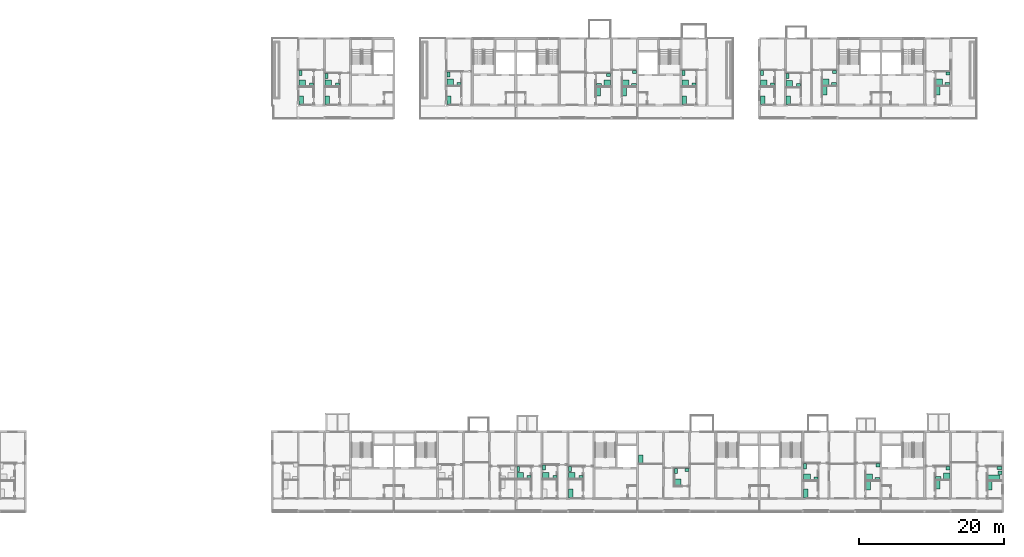
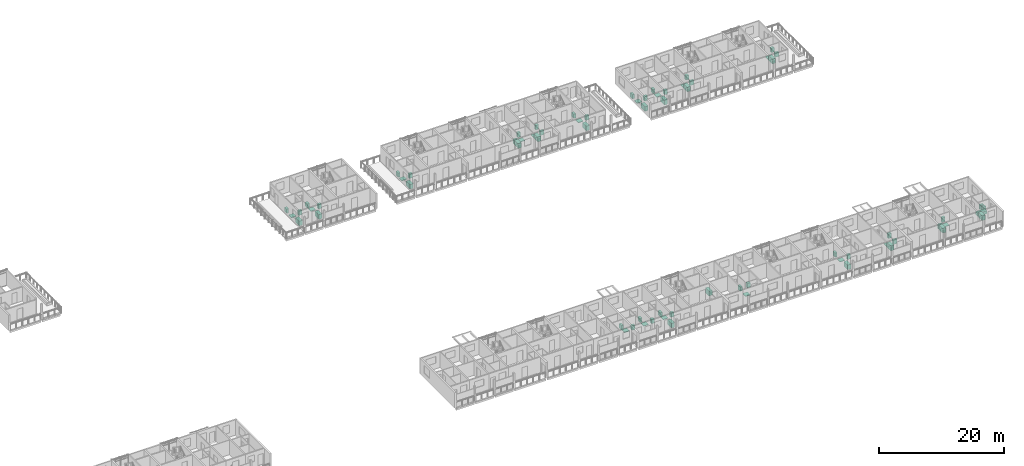
# One storey, part 94 of 94: 70 sanitary terminals.
"""IFC4 building model written with IfcOpenShell, lengths in metres."""

from ifc_helpers import new_model, si_unit, direction, frame, origin, origin_2d, place, context, subcontext, project, spatial, rectangle, extrude, element, save


model = new_model("IFC4")

# Units and contexts
model_context = context("Model", 3, precision=1e-05, world=origin(), true_north=direction((0.0, 1.0)))
body_context = subcontext(model_context, "Body", "Model", "MODEL_VIEW")
ifc_project = project(units=[si_unit("LENGTHUNIT", "METRE"), si_unit("AREAUNIT", "SQUARE_METRE"), si_unit("VOLUMEUNIT", "CUBIC_METRE"), si_unit("PLANEANGLEUNIT", "RADIAN"), si_unit("MASSUNIT", "GRAM", prefix="KILO")], contexts=[model_context])

# Site, building, storey
site_placement = place(None, origin())
site = spatial("IfcSite", under=ifc_project, at=site_placement, CompositionType="ELEMENT")
building_placement = place(site_placement, origin())
building = spatial("IfcBuilding", under=site, at=building_placement, Name="Ridgestep Commons", CompositionType="ELEMENT")
storey_placement = place(building_placement, frame((0.0, 0.0, 24.0)))
storey = spatial("IfcBuildingStorey", under=building, at=storey_placement, Name="L08", CompositionType="ELEMENT", Elevation=24.0)

# Sanitary terminals
sanitary_terminal_1_placement = place(storey_placement, frame((150.949951171875, 70.9599609375, 0.0), z_axis=(0.0, 0.0, 1.0), x_axis=(1.0, 0.0, 0.0)))
element("IfcSanitaryTerminal", 1, at=sanitary_terminal_1_placement, inside=storey, Name="Shower tray C1-08a", PredefinedType="SHOWER", context=body_context, shape_type="SweptSolid", body=[
    extrude(rectangle(XDim=0.89990234375, YDim=0.89990234375, at=origin_2d()), origin(), (0.0, 0.0, 1.0), 0.10009765625),
])
sanitary_terminal_2_placement = place(storey_placement, frame((150.699951171875, 72.35009765625, 0.0), z_axis=(0.0, 0.0, 1.0), x_axis=(1.0, 0.0, 0.0)))
element("IfcSanitaryTerminal", 2, at=sanitary_terminal_2_placement, inside=storey, Name="WC C1-08a", PredefinedType="TOILETPAN", context=body_context, shape_type="SweptSolid", body=[
    extrude(rectangle(XDim=0.39990234375, YDim=0.699951171875, at=origin_2d()), origin(), (0.0, 0.0, 1.0), 0.800048828125),
])
sanitary_terminal_3_placement = place(storey_placement, frame((152.215087890625, 70.735107421875, 0.0), z_axis=(0.0, 0.0, 1.0), x_axis=(1.0, 0.0, 0.0)))
element("IfcSanitaryTerminal", 3, at=sanitary_terminal_3_placement, inside=storey, Name="Basin C1-08a", PredefinedType="WASHHANDBASIN", context=body_context, shape_type="SweptSolid", body=[
    extrude(rectangle(XDim=0.550048828125, YDim=0.449951171875, at=origin_2d()), origin(), (0.0, 0.0, 1.0), 0.85009765625),
])
sanitary_terminal_4_placement = place(storey_placement, frame((150.800048828125, 68.60009765625, 0.0), z_axis=(0.0, 0.0, 1.0), x_axis=(1.0, 0.0, 0.0)))
element("IfcSanitaryTerminal", 4, at=sanitary_terminal_4_placement, inside=storey, Name="Kitchen sink C1-08a", PredefinedType="SINK", context=body_context, shape_type="SweptSolid", body=[
    extrude(rectangle(XDim=0.60009765625, YDim=1.199951171875, at=origin_2d()), origin(), (0.0, 0.0, 1.0), 0.89990234375),
])
sanitary_terminal_5_placement = place(storey_placement, frame((154.550048828125, 70.9599609375, 0.0), z_axis=(0.0, 0.0, 1.0), x_axis=(1.0, 0.0, 0.0)))
element("IfcSanitaryTerminal", 5, at=sanitary_terminal_5_placement, inside=storey, Name="Shower tray C1-08b", PredefinedType="SHOWER", context=body_context, shape_type="SweptSolid", body=[
    extrude(rectangle(XDim=0.89990234375, YDim=0.89990234375, at=origin_2d()), origin(), (0.0, 0.0, 1.0), 0.10009765625),
])
sanitary_terminal_6_placement = place(storey_placement, frame((154.300048828125, 71.949951171875, 0.0), z_axis=(0.0, 0.0, 1.0), x_axis=(1.0, 0.0, 0.0)))
element("IfcSanitaryTerminal", 6, at=sanitary_terminal_6_placement, inside=storey, Name="WC C1-08b", PredefinedType="TOILETPAN", context=body_context, shape_type="SweptSolid", body=[
    extrude(rectangle(XDim=0.39990234375, YDim=0.699951171875, at=origin_2d()), origin(), (0.0, 0.0, 1.0), 0.800048828125),
])
sanitary_terminal_7_placement = place(storey_placement, frame((155.7900390625, 70.735107421875, 0.0), z_axis=(0.0, 0.0, 1.0), x_axis=(1.0, 0.0, 0.0)))
element("IfcSanitaryTerminal", 7, at=sanitary_terminal_7_placement, inside=storey, Name="Basin C1-08b", PredefinedType="WASHHANDBASIN", context=body_context, shape_type="SweptSolid", body=[
    extrude(rectangle(XDim=0.550048828125, YDim=0.449951171875, at=origin_2d()), origin(), (0.0, 0.0, 1.0), 0.85009765625),
])
sanitary_terminal_8_placement = place(storey_placement, frame((154.39990234375, 68.60009765625, 0.0), z_axis=(0.0, 0.0, 1.0), x_axis=(1.0, 0.0, 0.0)))
element("IfcSanitaryTerminal", 8, at=sanitary_terminal_8_placement, inside=storey, Name="Kitchen sink C1-08b", PredefinedType="SINK", context=body_context, shape_type="SweptSolid", body=[
    extrude(rectangle(XDim=0.60009765625, YDim=1.199951171875, at=origin_2d()), origin(), (0.0, 0.0, 1.0), 0.89990234375),
])
sanitary_terminal_9_placement = place(storey_placement, frame((171.35009765625, 71.06005859375, 0.0), z_axis=(0.0, 0.0, 1.0), x_axis=(1.0, 0.0, 0.0)))
element("IfcSanitaryTerminal", 9, at=sanitary_terminal_9_placement, inside=storey, Name="Shower tray C2-08a", PredefinedType="SHOWER", context=body_context, shape_type="SweptSolid", body=[
    extrude(rectangle(XDim=0.89990234375, YDim=0.89990234375, at=origin_2d()), origin(), (0.0, 0.0, 1.0), 0.10009765625),
])
sanitary_terminal_10_placement = place(storey_placement, frame((171.10009765625, 72.14990234375, 0.0), z_axis=(0.0, 0.0, 1.0), x_axis=(1.0, 0.0, 0.0)))
element("IfcSanitaryTerminal", 10, at=sanitary_terminal_10_placement, inside=storey, Name="WC C2-08a", PredefinedType="TOILETPAN", context=body_context, shape_type="SweptSolid", body=[
    extrude(rectangle(XDim=0.39990234375, YDim=0.699951171875, at=origin_2d()), origin(), (0.0, 0.0, 1.0), 0.800048828125),
])
sanitary_terminal_11_placement = place(storey_placement, frame((172.590087890625, 70.8349609375, 0.0), z_axis=(0.0, 0.0, 1.0), x_axis=(1.0, 0.0, 0.0)))
element("IfcSanitaryTerminal", 11, at=sanitary_terminal_11_placement, inside=storey, Name="Basin C2-08a", PredefinedType="WASHHANDBASIN", context=body_context, shape_type="SweptSolid", body=[
    extrude(rectangle(XDim=0.550048828125, YDim=0.449951171875, at=origin_2d()), origin(), (0.0, 0.0, 1.0), 0.85009765625),
])
sanitary_terminal_12_placement = place(storey_placement, frame((171.199951171875, 68.60009765625, 0.0), z_axis=(0.0, 0.0, 1.0), x_axis=(1.0, 0.0, 0.0)))
element("IfcSanitaryTerminal", 12, at=sanitary_terminal_12_placement, inside=storey, Name="Kitchen sink C2-08a", PredefinedType="SINK", context=body_context, shape_type="SweptSolid", body=[
    extrude(rectangle(XDim=0.60009765625, YDim=1.199951171875, at=origin_2d()), origin(), (0.0, 0.0, 1.0), 0.89990234375),
])
sanitary_terminal_13_placement = place(storey_placement, frame((195.56005859375, 70.9599609375, 0.0), z_axis=(0.0, 0.0, 1.0), x_axis=(1.0, 0.0, 0.0)))
element("IfcSanitaryTerminal", 13, at=sanitary_terminal_13_placement, inside=storey, Name="Shower tray C3-08a", PredefinedType="SHOWER", context=body_context, shape_type="SweptSolid", body=[
    extrude(rectangle(XDim=0.89990234375, YDim=0.89990234375, at=origin_2d()), origin(), (0.0, 0.0, 1.0), 0.10009765625),
])
sanitary_terminal_14_placement = place(storey_placement, frame((196.699951171875, 70.7099609375, 0.0), z_axis=(0.0, 0.0, 1.0), x_axis=(1.0, 0.0, 0.0)))
element("IfcSanitaryTerminal", 14, at=sanitary_terminal_14_placement, inside=storey, Name="WC C3-08a", PredefinedType="TOILETPAN", context=body_context, shape_type="SweptSolid", body=[
    extrude(rectangle(XDim=0.699951171875, YDim=0.39990234375, at=origin_2d()), origin(), (0.0, 0.0, 1.0), 0.800048828125),
])
sanitary_terminal_15_placement = place(storey_placement, frame((196.77490234375, 72.47509765625, 0.0), z_axis=(0.0, 0.0, 1.0), x_axis=(1.0, 0.0, 0.0)))
element("IfcSanitaryTerminal", 15, at=sanitary_terminal_15_placement, inside=storey, Name="Basin C3-08a", PredefinedType="WASHHANDBASIN", context=body_context, shape_type="SweptSolid", body=[
    extrude(rectangle(XDim=0.550048828125, YDim=0.449951171875, at=origin_2d()), origin(), (0.0, 0.0, 1.0), 0.85009765625),
])
sanitary_terminal_16_placement = place(storey_placement, frame((195.409912109375, 69.800048828125, 0.0), z_axis=(0.0, 0.0, 1.0), x_axis=(1.0, 0.0, 0.0)))
element("IfcSanitaryTerminal", 16, at=sanitary_terminal_16_placement, inside=storey, Name="Kitchen sink C3-08a", PredefinedType="SINK", context=body_context, shape_type="SweptSolid", body=[
    extrude(rectangle(XDim=0.60009765625, YDim=1.199951171875, at=origin_2d()), origin(), (0.0, 0.0, 1.0), 0.89990234375),
])
sanitary_terminal_17_placement = place(storey_placement, frame((193.050048828125, 70.9599609375, 0.0), z_axis=(0.0, 0.0, 1.0), x_axis=(1.0, 0.0, 0.0)))
element("IfcSanitaryTerminal", 17, at=sanitary_terminal_17_placement, inside=storey, Name="Shower tray C3-08b", PredefinedType="SHOWER", context=body_context, shape_type="SweptSolid", body=[
    extrude(rectangle(XDim=0.89990234375, YDim=0.89990234375, at=origin_2d()), origin(), (0.0, 0.0, 1.0), 0.10009765625),
])
sanitary_terminal_18_placement = place(storey_placement, frame((191.860107421875, 70.7099609375, 0.0), z_axis=(0.0, 0.0, 1.0), x_axis=(1.0, 0.0, 0.0)))
element("IfcSanitaryTerminal", 18, at=sanitary_terminal_18_placement, inside=storey, Name="WC C3-08b", PredefinedType="TOILETPAN", context=body_context, shape_type="SweptSolid", body=[
    extrude(rectangle(XDim=0.699951171875, YDim=0.39990234375, at=origin_2d()), origin(), (0.0, 0.0, 1.0), 0.800048828125),
])
sanitary_terminal_19_placement = place(storey_placement, frame((193.22509765625, 72.074951171875, 0.0), z_axis=(0.0, 0.0, 1.0), x_axis=(1.0, 0.0, 0.0)))
element("IfcSanitaryTerminal", 19, at=sanitary_terminal_19_placement, inside=storey, Name="Basin C3-08b", PredefinedType="WASHHANDBASIN", context=body_context, shape_type="SweptSolid", body=[
    extrude(rectangle(XDim=0.550048828125, YDim=0.449951171875, at=origin_2d()), origin(), (0.0, 0.0, 1.0), 0.85009765625),
])
sanitary_terminal_20_placement = place(storey_placement, frame((191.81005859375, 69.800048828125, 0.0), z_axis=(0.0, 0.0, 1.0), x_axis=(1.0, 0.0, 0.0)))
element("IfcSanitaryTerminal", 20, at=sanitary_terminal_20_placement, inside=storey, Name="Kitchen sink C3-08b", PredefinedType="SINK", context=body_context, shape_type="SweptSolid", body=[
    extrude(rectangle(XDim=0.60009765625, YDim=1.199951171875, at=origin_2d()), origin(), (0.0, 0.0, 1.0), 0.89990234375),
])
sanitary_terminal_21_placement = place(storey_placement, frame((203.77490234375, 70.9599609375, 0.0), z_axis=(0.0, 0.0, 1.0), x_axis=(1.0, 0.0, 0.0)))
element("IfcSanitaryTerminal", 21, at=sanitary_terminal_21_placement, inside=storey, Name="Shower tray C4-08a", PredefinedType="SHOWER", context=body_context, shape_type="SweptSolid", body=[
    extrude(rectangle(XDim=0.89990234375, YDim=0.89990234375, at=origin_2d()), origin(), (0.0, 0.0, 1.0), 0.10009765625),
])
sanitary_terminal_22_placement = place(storey_placement, frame((203.52490234375, 72.35009765625, 0.0), z_axis=(0.0, 0.0, 1.0), x_axis=(1.0, 0.0, 0.0)))
element("IfcSanitaryTerminal", 22, at=sanitary_terminal_22_placement, inside=storey, Name="WC C4-08a", PredefinedType="TOILETPAN", context=body_context, shape_type="SweptSolid", body=[
    extrude(rectangle(XDim=0.39990234375, YDim=0.699951171875, at=origin_2d()), origin(), (0.0, 0.0, 1.0), 0.800048828125),
])
sanitary_terminal_23_placement = place(storey_placement, frame((205.014892578125, 70.735107421875, 0.0), z_axis=(0.0, 0.0, 1.0), x_axis=(1.0, 0.0, 0.0)))
element("IfcSanitaryTerminal", 23, at=sanitary_terminal_23_placement, inside=storey, Name="Basin C4-08a", PredefinedType="WASHHANDBASIN", context=body_context, shape_type="SweptSolid", body=[
    extrude(rectangle(XDim=0.550048828125, YDim=0.449951171875, at=origin_2d()), origin(), (0.0, 0.0, 1.0), 0.85009765625),
])
sanitary_terminal_24_placement = place(storey_placement, frame((203.625, 68.60009765625, 0.0), z_axis=(0.0, 0.0, 1.0), x_axis=(1.0, 0.0, 0.0)))
element("IfcSanitaryTerminal", 24, at=sanitary_terminal_24_placement, inside=storey, Name="Kitchen sink C4-08a", PredefinedType="SINK", context=body_context, shape_type="SweptSolid", body=[
    extrude(rectangle(XDim=0.60009765625, YDim=1.199951171875, at=origin_2d()), origin(), (0.0, 0.0, 1.0), 0.89990234375),
])
sanitary_terminal_25_placement = place(storey_placement, frame((214.60009765625, 70.9599609375, 0.0), z_axis=(0.0, 0.0, 1.0), x_axis=(1.0, 0.0, 0.0)))
element("IfcSanitaryTerminal", 25, at=sanitary_terminal_25_placement, inside=storey, Name="Shower tray C5-08a", PredefinedType="SHOWER", context=body_context, shape_type="SweptSolid", body=[
    extrude(rectangle(XDim=0.89990234375, YDim=0.89990234375, at=origin_2d()), origin(), (0.0, 0.0, 1.0), 0.10009765625),
])
sanitary_terminal_26_placement = place(storey_placement, frame((214.35009765625, 72.35009765625, 0.0), z_axis=(0.0, 0.0, 1.0), x_axis=(1.0, 0.0, 0.0)))
element("IfcSanitaryTerminal", 26, at=sanitary_terminal_26_placement, inside=storey, Name="WC C5-08a", PredefinedType="TOILETPAN", context=body_context, shape_type="SweptSolid", body=[
    extrude(rectangle(XDim=0.39990234375, YDim=0.699951171875, at=origin_2d()), origin(), (0.0, 0.0, 1.0), 0.800048828125),
])
sanitary_terminal_27_placement = place(storey_placement, frame((215.81494140625, 70.735107421875, 0.0), z_axis=(0.0, 0.0, 1.0), x_axis=(1.0, 0.0, 0.0)))
element("IfcSanitaryTerminal", 27, at=sanitary_terminal_27_placement, inside=storey, Name="Basin C5-08a", PredefinedType="WASHHANDBASIN", context=body_context, shape_type="SweptSolid", body=[
    extrude(rectangle(XDim=0.550048828125, YDim=0.449951171875, at=origin_2d()), origin(), (0.0, 0.0, 1.0), 0.85009765625),
])
sanitary_terminal_28_placement = place(storey_placement, frame((214.449951171875, 68.60009765625, 0.0), z_axis=(0.0, 0.0, 1.0), x_axis=(1.0, 0.0, 0.0)))
element("IfcSanitaryTerminal", 28, at=sanitary_terminal_28_placement, inside=storey, Name="Kitchen sink C5-08a", PredefinedType="SINK", context=body_context, shape_type="SweptSolid", body=[
    extrude(rectangle(XDim=0.60009765625, YDim=1.199951171875, at=origin_2d()), origin(), (0.0, 0.0, 1.0), 0.89990234375),
])
sanitary_terminal_29_placement = place(storey_placement, frame((218.14990234375, 70.860107421875, 0.0), z_axis=(0.0, 0.0, 1.0), x_axis=(1.0, 0.0, 0.0)))
element("IfcSanitaryTerminal", 29, at=sanitary_terminal_29_placement, inside=storey, Name="Shower tray C5-08b", PredefinedType="SHOWER", context=body_context, shape_type="SweptSolid", body=[
    extrude(rectangle(XDim=0.89990234375, YDim=0.89990234375, at=origin_2d()), origin(), (0.0, 0.0, 1.0), 0.10009765625),
])
sanitary_terminal_30_placement = place(storey_placement, frame((217.89990234375, 71.949951171875, 0.0), z_axis=(0.0, 0.0, 1.0), x_axis=(1.0, 0.0, 0.0)))
element("IfcSanitaryTerminal", 30, at=sanitary_terminal_30_placement, inside=storey, Name="WC C5-08b", PredefinedType="TOILETPAN", context=body_context, shape_type="SweptSolid", body=[
    extrude(rectangle(XDim=0.39990234375, YDim=0.699951171875, at=origin_2d()), origin(), (0.0, 0.0, 1.0), 0.800048828125),
])
sanitary_terminal_31_placement = place(storey_placement, frame((219.4150390625, 70.635009765625, 0.0), z_axis=(0.0, 0.0, 1.0), x_axis=(1.0, 0.0, 0.0)))
element("IfcSanitaryTerminal", 31, at=sanitary_terminal_31_placement, inside=storey, Name="Basin C5-08b", PredefinedType="WASHHANDBASIN", context=body_context, shape_type="SweptSolid", body=[
    extrude(rectangle(XDim=0.550048828125, YDim=0.449951171875, at=origin_2d()), origin(), (0.0, 0.0, 1.0), 0.85009765625),
])
sanitary_terminal_32_placement = place(storey_placement, frame((218.0, 68.60009765625, 0.0), z_axis=(0.0, 0.0, 1.0), x_axis=(1.0, 0.0, 0.0)))
element("IfcSanitaryTerminal", 32, at=sanitary_terminal_32_placement, inside=storey, Name="Kitchen sink C5-08b", PredefinedType="SINK", context=body_context, shape_type="SweptSolid", body=[
    extrude(rectangle(XDim=0.60009765625, YDim=1.199951171875, at=origin_2d()), origin(), (0.0, 0.0, 1.0), 0.89990234375),
])
sanitary_terminal_33_placement = place(storey_placement, frame((223.159912109375, 71.06005859375, 0.0), z_axis=(0.0, 0.0, 1.0), x_axis=(1.0, 0.0, 0.0)))
element("IfcSanitaryTerminal", 33, at=sanitary_terminal_33_placement, inside=storey, Name="Shower tray C5-08c", PredefinedType="SHOWER", context=body_context, shape_type="SweptSolid", body=[
    extrude(rectangle(XDim=0.89990234375, YDim=0.89990234375, at=origin_2d()), origin(), (0.0, 0.0, 1.0), 0.10009765625),
])
sanitary_terminal_34_placement = place(storey_placement, frame((224.324951171875, 70.81005859375, 0.0), z_axis=(0.0, 0.0, 1.0), x_axis=(1.0, 0.0, 0.0)))
element("IfcSanitaryTerminal", 34, at=sanitary_terminal_34_placement, inside=storey, Name="WC C5-08c", PredefinedType="TOILETPAN", context=body_context, shape_type="SweptSolid", body=[
    extrude(rectangle(XDim=0.699951171875, YDim=0.39990234375, at=origin_2d()), origin(), (0.0, 0.0, 1.0), 0.800048828125),
])
sanitary_terminal_35_placement = place(storey_placement, frame((224.39990234375, 72.47509765625, 0.0), z_axis=(0.0, 0.0, 1.0), x_axis=(1.0, 0.0, 0.0)))
element("IfcSanitaryTerminal", 35, at=sanitary_terminal_35_placement, inside=storey, Name="Basin C5-08c", PredefinedType="WASHHANDBASIN", context=body_context, shape_type="SweptSolid", body=[
    extrude(rectangle(XDim=0.550048828125, YDim=0.449951171875, at=origin_2d()), origin(), (0.0, 0.0, 1.0), 0.85009765625),
])
sanitary_terminal_36_placement = place(storey_placement, frame((223.010009765625, 69.89990234375, 0.0), z_axis=(0.0, 0.0, 1.0), x_axis=(1.0, 0.0, 0.0)))
element("IfcSanitaryTerminal", 36, at=sanitary_terminal_36_placement, inside=storey, Name="Kitchen sink C5-08c", PredefinedType="SINK", context=body_context, shape_type="SweptSolid", body=[
    extrude(rectangle(XDim=0.60009765625, YDim=1.199951171875, at=origin_2d()), origin(), (0.0, 0.0, 1.0), 0.89990234375),
])
sanitary_terminal_37_placement = place(storey_placement, frame((238.784912109375, 71.06005859375, 0.0), z_axis=(0.0, 0.0, 1.0), x_axis=(1.0, 0.0, 0.0)))
element("IfcSanitaryTerminal", 37, at=sanitary_terminal_37_placement, inside=storey, Name="Shower tray C6-08a", PredefinedType="SHOWER", context=body_context, shape_type="SweptSolid", body=[
    extrude(rectangle(XDim=0.89990234375, YDim=0.89990234375, at=origin_2d()), origin(), (0.0, 0.0, 1.0), 0.10009765625),
])
sanitary_terminal_38_placement = place(storey_placement, frame((239.949951171875, 70.81005859375, 0.0), z_axis=(0.0, 0.0, 1.0), x_axis=(1.0, 0.0, 0.0)))
element("IfcSanitaryTerminal", 38, at=sanitary_terminal_38_placement, inside=storey, Name="WC C6-08a", PredefinedType="TOILETPAN", context=body_context, shape_type="SweptSolid", body=[
    extrude(rectangle(XDim=0.699951171875, YDim=0.39990234375, at=origin_2d()), origin(), (0.0, 0.0, 1.0), 0.800048828125),
])
sanitary_terminal_39_placement = place(storey_placement, frame((240.02490234375, 72.27490234375, 0.0), z_axis=(0.0, 0.0, 1.0), x_axis=(1.0, 0.0, 0.0)))
element("IfcSanitaryTerminal", 39, at=sanitary_terminal_39_placement, inside=storey, Name="Basin C6-08a", PredefinedType="WASHHANDBASIN", context=body_context, shape_type="SweptSolid", body=[
    extrude(rectangle(XDim=0.550048828125, YDim=0.449951171875, at=origin_2d()), origin(), (0.0, 0.0, 1.0), 0.85009765625),
])
sanitary_terminal_40_placement = place(storey_placement, frame((238.635009765625, 69.89990234375, 0.0), z_axis=(0.0, 0.0, 1.0), x_axis=(1.0, 0.0, 0.0)))
element("IfcSanitaryTerminal", 40, at=sanitary_terminal_40_placement, inside=storey, Name="Kitchen sink C6-08a", PredefinedType="SINK", context=body_context, shape_type="SweptSolid", body=[
    extrude(rectangle(XDim=0.60009765625, YDim=1.199951171875, at=origin_2d()), origin(), (0.0, 0.0, 1.0), 0.89990234375),
])
sanitary_terminal_41_placement = place(storey_placement, frame((181.0, 16.81005859375, 0.0), z_axis=(0.0, 0.0, 1.0), x_axis=(1.0, 0.0, 0.0)))
element("IfcSanitaryTerminal", 41, at=sanitary_terminal_41_placement, inside=storey, Name="Shower tray D3-08a", PredefinedType="SHOWER", context=body_context, shape_type="SweptSolid", body=[
    extrude(rectangle(XDim=0.89990234375, YDim=0.89990234375, at=origin_2d()), origin(), (0.0, 0.0, 1.0), 0.10009765625),
])
sanitary_terminal_42_placement = place(storey_placement, frame((180.75, 17.699951171875, 0.0), z_axis=(0.0, 0.0, 1.0), x_axis=(1.0, 0.0, 0.0)))
element("IfcSanitaryTerminal", 42, at=sanitary_terminal_42_placement, inside=storey, Name="WC D3-08a", PredefinedType="TOILETPAN", context=body_context, shape_type="SweptSolid", body=[
    extrude(rectangle(XDim=0.39990234375, YDim=0.699951171875, at=origin_2d()), origin(), (0.0, 0.0, 1.0), 0.800048828125),
])
sanitary_terminal_43_placement = place(storey_placement, frame((182.215087890625, 16.5849609375, 0.0), z_axis=(0.0, 0.0, 1.0), x_axis=(1.0, 0.0, 0.0)))
element("IfcSanitaryTerminal", 43, at=sanitary_terminal_43_placement, inside=storey, Name="Basin D3-08a", PredefinedType="WASHHANDBASIN", context=body_context, shape_type="SweptSolid", body=[
    extrude(rectangle(XDim=0.550048828125, YDim=0.449951171875, at=origin_2d()), origin(), (0.0, 0.0, 1.0), 0.85009765625),
])
sanitary_terminal_44_placement = place(storey_placement, frame((184.550048828125, 16.81005859375, 0.0), z_axis=(0.0, 0.0, 1.0), x_axis=(1.0, 0.0, 0.0)))
element("IfcSanitaryTerminal", 44, at=sanitary_terminal_44_placement, inside=storey, Name="Shower tray D3-08b", PredefinedType="SHOWER", context=body_context, shape_type="SweptSolid", body=[
    extrude(rectangle(XDim=0.89990234375, YDim=0.89990234375, at=origin_2d()), origin(), (0.0, 0.0, 1.0), 0.10009765625),
])
sanitary_terminal_45_placement = place(storey_placement, frame((184.300048828125, 17.89990234375, 0.0), z_axis=(0.0, 0.0, 1.0), x_axis=(1.0, 0.0, 0.0)))
element("IfcSanitaryTerminal", 45, at=sanitary_terminal_45_placement, inside=storey, Name="WC D3-08b", PredefinedType="TOILETPAN", context=body_context, shape_type="SweptSolid", body=[
    extrude(rectangle(XDim=0.39990234375, YDim=0.699951171875, at=origin_2d()), origin(), (0.0, 0.0, 1.0), 0.800048828125),
])
sanitary_terminal_46_placement = place(storey_placement, frame((185.81494140625, 16.5849609375, 0.0), z_axis=(0.0, 0.0, 1.0), x_axis=(1.0, 0.0, 0.0)))
element("IfcSanitaryTerminal", 46, at=sanitary_terminal_46_placement, inside=storey, Name="Basin D3-08b", PredefinedType="WASHHANDBASIN", context=body_context, shape_type="SweptSolid", body=[
    extrude(rectangle(XDim=0.550048828125, YDim=0.449951171875, at=origin_2d()), origin(), (0.0, 0.0, 1.0), 0.85009765625),
])
sanitary_terminal_47_placement = place(storey_placement, frame((188.14990234375, 16.81005859375, 0.0), z_axis=(0.0, 0.0, 1.0), x_axis=(1.0, 0.0, 0.0)))
element("IfcSanitaryTerminal", 47, at=sanitary_terminal_47_placement, inside=storey, Name="Shower tray D3-08c", PredefinedType="SHOWER", context=body_context, shape_type="SweptSolid", body=[
    extrude(rectangle(XDim=0.89990234375, YDim=0.89990234375, at=origin_2d()), origin(), (0.0, 0.0, 1.0), 0.10009765625),
])
sanitary_terminal_48_placement = place(storey_placement, frame((187.89990234375, 17.699951171875, 0.0), z_axis=(0.0, 0.0, 1.0), x_axis=(1.0, 0.0, 0.0)))
element("IfcSanitaryTerminal", 48, at=sanitary_terminal_48_placement, inside=storey, Name="WC D3-08c", PredefinedType="TOILETPAN", context=body_context, shape_type="SweptSolid", body=[
    extrude(rectangle(XDim=0.39990234375, YDim=0.699951171875, at=origin_2d()), origin(), (0.0, 0.0, 1.0), 0.800048828125),
])
sanitary_terminal_49_placement = place(storey_placement, frame((189.389892578125, 16.5849609375, 0.0), z_axis=(0.0, 0.0, 1.0), x_axis=(1.0, 0.0, 0.0)))
element("IfcSanitaryTerminal", 49, at=sanitary_terminal_49_placement, inside=storey, Name="Basin D3-08c", PredefinedType="WASHHANDBASIN", context=body_context, shape_type="SweptSolid", body=[
    extrude(rectangle(XDim=0.550048828125, YDim=0.449951171875, at=origin_2d()), origin(), (0.0, 0.0, 1.0), 0.85009765625),
])
sanitary_terminal_50_placement = place(storey_placement, frame((188.0, 14.35009765625, 0.0), z_axis=(0.0, 0.0, 1.0), x_axis=(1.0, 0.0, 0.0)))
element("IfcSanitaryTerminal", 50, at=sanitary_terminal_50_placement, inside=storey, Name="Kitchen sink D3-08c", PredefinedType="SINK", context=body_context, shape_type="SweptSolid", body=[
    extrude(rectangle(XDim=0.60009765625, YDim=1.199951171875, at=origin_2d()), origin(), (0.0, 0.0, 1.0), 0.89990234375),
])
sanitary_terminal_51_placement = place(storey_placement, frame((202.760009765625, 15.860107421875, 0.0), z_axis=(0.0, 0.0, 1.0), x_axis=(1.0, 0.0, 0.0)))
element("IfcSanitaryTerminal", 51, at=sanitary_terminal_51_placement, inside=storey, Name="Shower tray D4-08a", PredefinedType="SHOWER", context=body_context, shape_type="SweptSolid", body=[
    extrude(rectangle(XDim=0.89990234375, YDim=0.89990234375, at=origin_2d()), origin(), (0.0, 0.0, 1.0), 0.10009765625),
])
sanitary_terminal_52_placement = place(storey_placement, frame((202.510009765625, 17.4599609375, 0.0), z_axis=(0.0, 0.0, 1.0), x_axis=(1.0, 0.0, 0.0)))
element("IfcSanitaryTerminal", 52, at=sanitary_terminal_52_placement, inside=storey, Name="WC D4-08a", PredefinedType="TOILETPAN", context=body_context, shape_type="SweptSolid", body=[
    extrude(rectangle(XDim=0.39990234375, YDim=0.699951171875, at=origin_2d()), origin(), (0.0, 0.0, 1.0), 0.800048828125),
])
sanitary_terminal_53_placement = place(storey_placement, frame((204.02490234375, 17.5849609375, 0.0), z_axis=(0.0, 0.0, 1.0), x_axis=(1.0, 0.0, 0.0)))
element("IfcSanitaryTerminal", 53, at=sanitary_terminal_53_placement, inside=storey, Name="Basin D4-08a", PredefinedType="WASHHANDBASIN", context=body_context, shape_type="SweptSolid", body=[
    extrude(rectangle(XDim=0.550048828125, YDim=0.449951171875, at=origin_2d()), origin(), (0.0, 0.0, 1.0), 0.85009765625),
])
sanitary_terminal_54_placement = place(storey_placement, frame((197.64990234375, 19.06005859375, 0.0), z_axis=(0.0, 0.0, 1.0), x_axis=(1.0, 0.0, 0.0)))
element("IfcSanitaryTerminal", 54, at=sanitary_terminal_54_placement, inside=storey, Name="Kitchen sink D4-08a", PredefinedType="SINK", context=body_context, shape_type="SweptSolid", body=[
    extrude(rectangle(XDim=0.60009765625, YDim=1.199951171875, at=origin_2d()), origin(), (0.0, 0.0, 1.0), 0.89990234375),
])
sanitary_terminal_55_placement = place(storey_placement, frame((229.159912109375, 16.610107421875, 0.0), z_axis=(0.0, 0.0, 1.0), x_axis=(1.0, 0.0, 0.0)))
element("IfcSanitaryTerminal", 55, at=sanitary_terminal_55_placement, inside=storey, Name="Shower tray D5-08a", PredefinedType="SHOWER", context=body_context, shape_type="SweptSolid", body=[
    extrude(rectangle(XDim=0.89990234375, YDim=0.89990234375, at=origin_2d()), origin(), (0.0, 0.0, 1.0), 0.10009765625),
])
sanitary_terminal_56_placement = place(storey_placement, frame((230.300048828125, 16.360107421875, 0.0), z_axis=(0.0, 0.0, 1.0), x_axis=(1.0, 0.0, 0.0)))
element("IfcSanitaryTerminal", 56, at=sanitary_terminal_56_placement, inside=storey, Name="WC D5-08a", PredefinedType="TOILETPAN", context=body_context, shape_type="SweptSolid", body=[
    extrude(rectangle(XDim=0.699951171875, YDim=0.39990234375, at=origin_2d()), origin(), (0.0, 0.0, 1.0), 0.800048828125),
])
sanitary_terminal_57_placement = place(storey_placement, frame((230.375, 18.22509765625, 0.0), z_axis=(0.0, 0.0, 1.0), x_axis=(1.0, 0.0, 0.0)))
element("IfcSanitaryTerminal", 57, at=sanitary_terminal_57_placement, inside=storey, Name="Basin D5-08a", PredefinedType="WASHHANDBASIN", context=body_context, shape_type="SweptSolid", body=[
    extrude(rectangle(XDim=0.550048828125, YDim=0.449951171875, at=origin_2d()), origin(), (0.0, 0.0, 1.0), 0.85009765625),
])
sanitary_terminal_58_placement = place(storey_placement, frame((229.010009765625, 15.449951171875, 0.0), z_axis=(0.0, 0.0, 1.0), x_axis=(1.0, 0.0, 0.0)))
element("IfcSanitaryTerminal", 58, at=sanitary_terminal_58_placement, inside=storey, Name="Kitchen sink D5-08a", PredefinedType="SINK", context=body_context, shape_type="SweptSolid", body=[
    extrude(rectangle(XDim=0.60009765625, YDim=1.199951171875, at=origin_2d()), origin(), (0.0, 0.0, 1.0), 0.89990234375),
])
sanitary_terminal_59_placement = place(storey_placement, frame((220.574951171875, 16.610107421875, 0.0), z_axis=(0.0, 0.0, 1.0), x_axis=(1.0, 0.0, 0.0)))
element("IfcSanitaryTerminal", 59, at=sanitary_terminal_59_placement, inside=storey, Name="Shower tray D5-08b", PredefinedType="SHOWER", context=body_context, shape_type="SweptSolid", body=[
    extrude(rectangle(XDim=0.89990234375, YDim=0.89990234375, at=origin_2d()), origin(), (0.0, 0.0, 1.0), 0.10009765625),
])
sanitary_terminal_60_placement = place(storey_placement, frame((220.324951171875, 18.10009765625, 0.0), z_axis=(0.0, 0.0, 1.0), x_axis=(1.0, 0.0, 0.0)))
element("IfcSanitaryTerminal", 60, at=sanitary_terminal_60_placement, inside=storey, Name="WC D5-08b", PredefinedType="TOILETPAN", context=body_context, shape_type="SweptSolid", body=[
    extrude(rectangle(XDim=0.39990234375, YDim=0.699951171875, at=origin_2d()), origin(), (0.0, 0.0, 1.0), 0.800048828125),
])
sanitary_terminal_61_placement = place(storey_placement, frame((221.81494140625, 16.385009765625, 0.0), z_axis=(0.0, 0.0, 1.0), x_axis=(1.0, 0.0, 0.0)))
element("IfcSanitaryTerminal", 61, at=sanitary_terminal_61_placement, inside=storey, Name="Basin D5-08b", PredefinedType="WASHHANDBASIN", context=body_context, shape_type="SweptSolid", body=[
    extrude(rectangle(XDim=0.550048828125, YDim=0.449951171875, at=origin_2d()), origin(), (0.0, 0.0, 1.0), 0.85009765625),
])
sanitary_terminal_62_placement = place(storey_placement, frame((220.425048828125, 14.35009765625, 0.0), z_axis=(0.0, 0.0, 1.0), x_axis=(1.0, 0.0, 0.0)))
element("IfcSanitaryTerminal", 62, at=sanitary_terminal_62_placement, inside=storey, Name="Kitchen sink D5-08b", PredefinedType="SINK", context=body_context, shape_type="SweptSolid", body=[
    extrude(rectangle(XDim=0.60009765625, YDim=1.199951171875, at=origin_2d()), origin(), (0.0, 0.0, 1.0), 0.89990234375),
])
sanitary_terminal_63_placement = place(storey_placement, frame((246.360107421875, 16.534912109375, 0.0), z_axis=(0.0, 0.0, 1.0), x_axis=(1.0, 0.0, 0.0)))
element("IfcSanitaryTerminal", 63, at=sanitary_terminal_63_placement, inside=storey, Name="Bath D6-08a", PredefinedType="BATH", context=body_context, shape_type="SweptSolid", body=[
    extrude(rectangle(XDim=1.699951171875, YDim=0.75, at=origin_2d()), origin(), (0.0, 0.0, 1.0), 0.550048828125),
])
sanitary_terminal_64_placement = place(storey_placement, frame((247.10009765625, 17.85009765625, 0.0), z_axis=(0.0, 0.0, 1.0), x_axis=(1.0, 0.0, 0.0)))
element("IfcSanitaryTerminal", 64, at=sanitary_terminal_64_placement, inside=storey, Name="WC D6-08a", PredefinedType="TOILETPAN", context=body_context, shape_type="SweptSolid", body=[
    extrude(rectangle(XDim=0.699951171875, YDim=0.39990234375, at=origin_2d()), origin(), (0.0, 0.0, 1.0), 0.800048828125),
])
sanitary_terminal_65_placement = place(storey_placement, frame((247.175048828125, 17.18505859375, 0.0), z_axis=(0.0, 0.0, 1.0), x_axis=(1.0, 0.0, 0.0)))
element("IfcSanitaryTerminal", 65, at=sanitary_terminal_65_placement, inside=storey, Name="Basin D6-08a", PredefinedType="WASHHANDBASIN", context=body_context, shape_type="SweptSolid", body=[
    extrude(rectangle(XDim=0.550048828125, YDim=0.449951171875, at=origin_2d()), origin(), (0.0, 0.0, 1.0), 0.85009765625),
])
sanitary_terminal_66_placement = place(storey_placement, frame((245.81005859375, 15.449951171875, 0.0), z_axis=(0.0, 0.0, 1.0), x_axis=(1.0, 0.0, 0.0)))
element("IfcSanitaryTerminal", 66, at=sanitary_terminal_66_placement, inside=storey, Name="Kitchen sink D6-08a", PredefinedType="SINK", context=body_context, shape_type="SweptSolid", body=[
    extrude(rectangle(XDim=0.60009765625, YDim=1.199951171875, at=origin_2d()), origin(), (0.0, 0.0, 1.0), 0.89990234375),
])
sanitary_terminal_67_placement = place(storey_placement, frame((239.85009765625, 16.7099609375, 0.0), z_axis=(0.0, 0.0, 1.0), x_axis=(1.0, 0.0, 0.0)))
element("IfcSanitaryTerminal", 67, at=sanitary_terminal_67_placement, inside=storey, Name="Shower tray D6-08b", PredefinedType="SHOWER", context=body_context, shape_type="SweptSolid", body=[
    extrude(rectangle(XDim=0.89990234375, YDim=0.89990234375, at=origin_2d()), origin(), (0.0, 0.0, 1.0), 0.10009765625),
])
sanitary_terminal_68_placement = place(storey_placement, frame((238.68505859375, 16.4599609375, 0.0), z_axis=(0.0, 0.0, 1.0), x_axis=(1.0, 0.0, 0.0)))
element("IfcSanitaryTerminal", 68, at=sanitary_terminal_68_placement, inside=storey, Name="WC D6-08b", PredefinedType="TOILETPAN", context=body_context, shape_type="SweptSolid", body=[
    extrude(rectangle(XDim=0.699951171875, YDim=0.39990234375, at=origin_2d()), origin(), (0.0, 0.0, 1.0), 0.800048828125),
])
sanitary_terminal_69_placement = place(storey_placement, frame((240.02490234375, 17.824951171875, 0.0), z_axis=(0.0, 0.0, 1.0), x_axis=(1.0, 0.0, 0.0)))
element("IfcSanitaryTerminal", 69, at=sanitary_terminal_69_placement, inside=storey, Name="Basin D6-08b", PredefinedType="WASHHANDBASIN", context=body_context, shape_type="SweptSolid", body=[
    extrude(rectangle(XDim=0.550048828125, YDim=0.449951171875, at=origin_2d()), origin(), (0.0, 0.0, 1.0), 0.85009765625),
])
sanitary_terminal_70_placement = place(storey_placement, frame((238.635009765625, 15.550048828125, 0.0), z_axis=(0.0, 0.0, 1.0), x_axis=(1.0, 0.0, 0.0)))
element("IfcSanitaryTerminal", 70, at=sanitary_terminal_70_placement, inside=storey, Name="Kitchen sink D6-08b", PredefinedType="SINK", context=body_context, shape_type="SweptSolid", body=[
    extrude(rectangle(XDim=0.60009765625, YDim=1.199951171875, at=origin_2d()), origin(), (0.0, 0.0, 1.0), 0.89990234375),
])

save(model, "model.ifc")
